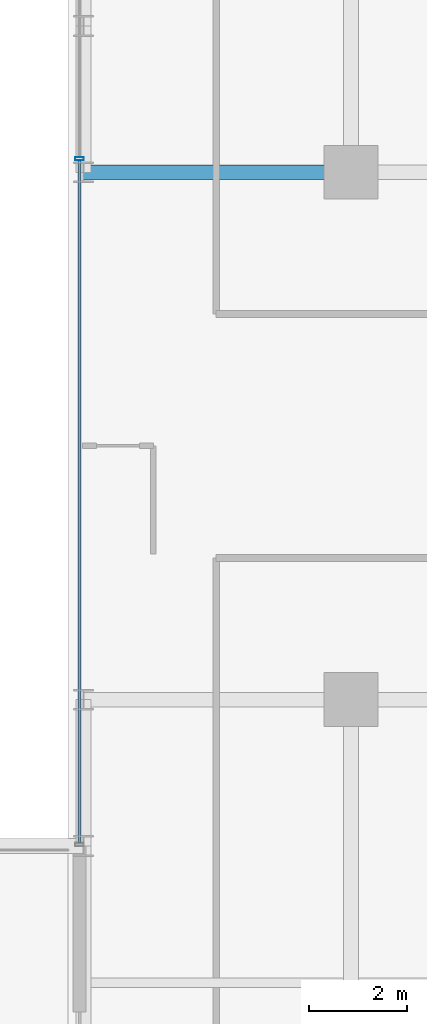
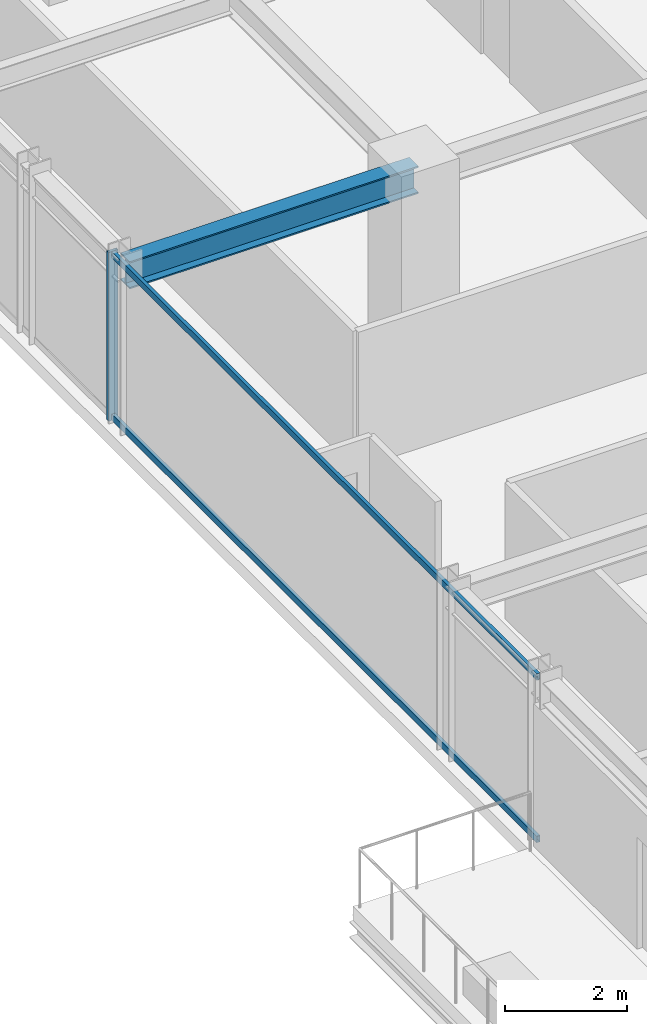
# One storey, part 10 of 31: 3 members, 1 beam, 1 element without a shape of its own.
"""IFC4 building model written with IfcOpenShell, lengths in metres."""

from ifc_helpers import new_model, si_unit, direction, frame, origin, origin_2d, place, context, subcontext, project, spatial, hollow_rectangle, i_section, extrude, source, transform, mapped, material, material_profile, profile_set, type_object, element, aggregate, save


model = new_model("IFC4")

# Units and contexts
model_context = context("Model", 3, precision=1e-05, world=origin(), true_north=direction((0.0, 1.0)))
body_context = subcontext(model_context, "Body", "Model", "MODEL_VIEW")
ifc_project = project(units=[si_unit("LENGTHUNIT", "METRE"), si_unit("AREAUNIT", "SQUARE_METRE"), si_unit("VOLUMEUNIT", "CUBIC_METRE"), si_unit("PLANEANGLEUNIT", "RADIAN"), si_unit("MASSUNIT", "GRAM", prefix="KILO")], contexts=[model_context])

# Site, building, storey
site_placement = place(None, origin())
site = spatial("IfcSite", under=ifc_project, at=site_placement, CompositionType="ELEMENT")
building_placement = place(site_placement, origin())
building = spatial("IfcBuilding", under=site, at=building_placement, Name="Nahalor Promenade Grand Hotel", CompositionType="ELEMENT")
storey_placement = place(building_placement, frame((0.0, 0.0, 156.300048828125)))
storey = spatial("IfcBuildingStorey", under=building, at=storey_placement, Name="L39", CompositionType="ELEMENT", Elevation=156.300048828125)

# Beam
ifc_material_1 = material(Name="Steel S355JR", Category="steel")
ifc_material_profile_1 = material_profile(ifc_material_1, i_section(OverallWidth=0.3, OverallDepth=0.55, WebThickness=0.015, FlangeThickness=0.029, at=origin_2d()), Name="HEB 550")
ifc_profile_set_1 = profile_set([ifc_material_profile_1], Name="Steel S355JR")
beam_type = type_object("IfcBeamType", Name="Beam-Girder-HEB550", PredefinedType="BEAM", material=ifc_profile_set_1)
shared_shape_1 = source(origin(), body_context, "Body", "SweptSolid", [
    extrude(i_section(OverallWidth=0.3, OverallDepth=0.55, WebThickness=0.015, FlangeThickness=0.029, at=origin_2d()), origin(), (0.0, 0.0, 1.0), 5.47998046875),
])
beam_placement = place(storey_placement, frame((-22.47998046875, 5.39990234375, 3.114990234375), z_axis=(1.0, 0.0, 0.0), x_axis=(0.0, 1.0, 0.0)))
element("IfcBeam", 1, at=beam_placement, inside=storey, type_object=beam_type, Name="BM-L39-GX-2-0", PredefinedType="BEAM", context=body_context, shape_type="MappedRepresentation", body=[
    mapped(shared_shape_1, transform((0.0, 0.0, 0.0), scale=1.0)),
])

# Curtain wall, members
ifc_material_2 = material(Name="Anodised Bronze Aluminium EN AW-6063 T6", Category="aluminium")
curtain_wall_type = type_object("IfcCurtainWallType", Name="CW2 Typical Hotel Flush Bronze Unitised Curtain Wall", PredefinedType="USERDEFINED", material=ifc_material_2)
curtain_wall_placement = place(storey_placement, origin())
curtain_wall = element("IfcCurtainWall", 2, at=curtain_wall_placement, inside=storey, type_object=curtain_wall_type, Name="L39 Curtain Wall CW-L39-W-3", ObjectType="UNITISED_CURTAIN_WALL", PredefinedType="USERDEFINED")
ifc_material_profile_2 = material_profile(ifc_material_2, hollow_rectangle(XDim=0.065, YDim=0.18, WallThickness=0.004, at=origin_2d()), Name="CWM 65x180x4")
ifc_profile_set_2 = profile_set([ifc_material_profile_2], Name="Anodised Bronze Aluminium EN AW-6063 T6")
member_type_1 = type_object("IfcMemberType", Name="CWM2 Typical Bronze Mullion 65x180", PredefinedType="MULLION", material=ifc_profile_set_2)
shared_shape_2 = source(origin(), body_context, "Body", "SweptSolid", [
    extrude(hollow_rectangle(XDim=0.065, YDim=0.18, WallThickness=0.004, at=origin_2d()), origin(), (0.0, 0.0, 1.0), 3.389892578125),
])
member_1_placement = place(storey_placement, frame((-22.56005859375, 5.679931640625, 0.0), z_axis=(0.0, 0.0, 1.0), x_axis=(0.0, 1.0, 0.0)))
member_1 = element("IfcMember", 3, at=member_1_placement, type_object=member_type_1, Name="CW-L39-W-3 Mullion 1", PredefinedType="MULLION", context=body_context, shape_type="MappedRepresentation", body=[
    mapped(shared_shape_2, transform((0.0, 0.0, 0.0), scale=1.0)),
])
ifc_material_profile_3 = material_profile(ifc_material_2, hollow_rectangle(XDim=0.065, YDim=0.13, WallThickness=0.004, at=origin_2d()), Name="CWT 65x130x4")
ifc_profile_set_3 = profile_set([ifc_material_profile_3], Name="Anodised Bronze Aluminium EN AW-6063 T6")
member_type_2 = type_object("IfcMemberType", Name="CWT2 Typical Bronze Transom 65x130", PredefinedType="USERDEFINED", material=ifc_profile_set_3)
shared_shape_3 = source(origin(), body_context, "Body", "SweptSolid", [
    extrude(hollow_rectangle(XDim=0.065, YDim=0.13, WallThickness=0.004, at=origin_2d()), origin(), (0.0, 0.0, 1.0), 13.982421875),
])
member_2_placement = place(storey_placement, frame((-22.56005859375, -8.3349609375, 0.06494140625), z_axis=(0.0, 1.0, 0.0), x_axis=(-1.0, 0.0, 0.0)))
member_2 = element("IfcMember", 4, at=member_2_placement, type_object=member_type_2, Name="CW-L39-W-3 Transom 0-0", ObjectType="TRANSOM", PredefinedType="USERDEFINED", context=body_context, shape_type="MappedRepresentation", body=[
    mapped(shared_shape_3, transform((0.0, 0.0, 0.0), scale=1.0)),
])
member_3_placement = place(storey_placement, frame((-22.56005859375, -8.3349609375, 3.324951171875), z_axis=(0.0, 1.0, 0.0), x_axis=(-1.0, 0.0, 0.0)))
member_3 = element("IfcMember", 5, at=member_3_placement, type_object=member_type_2, Name="CW-L39-W-3 Transom 0-1", ObjectType="TRANSOM", PredefinedType="USERDEFINED", context=body_context, shape_type="MappedRepresentation", body=[
    mapped(shared_shape_3, transform((0.0, 0.0, 0.0), scale=1.0)),
])
aggregate(curtain_wall, [member_1, member_2, member_3])

save(model, "model.ifc")
